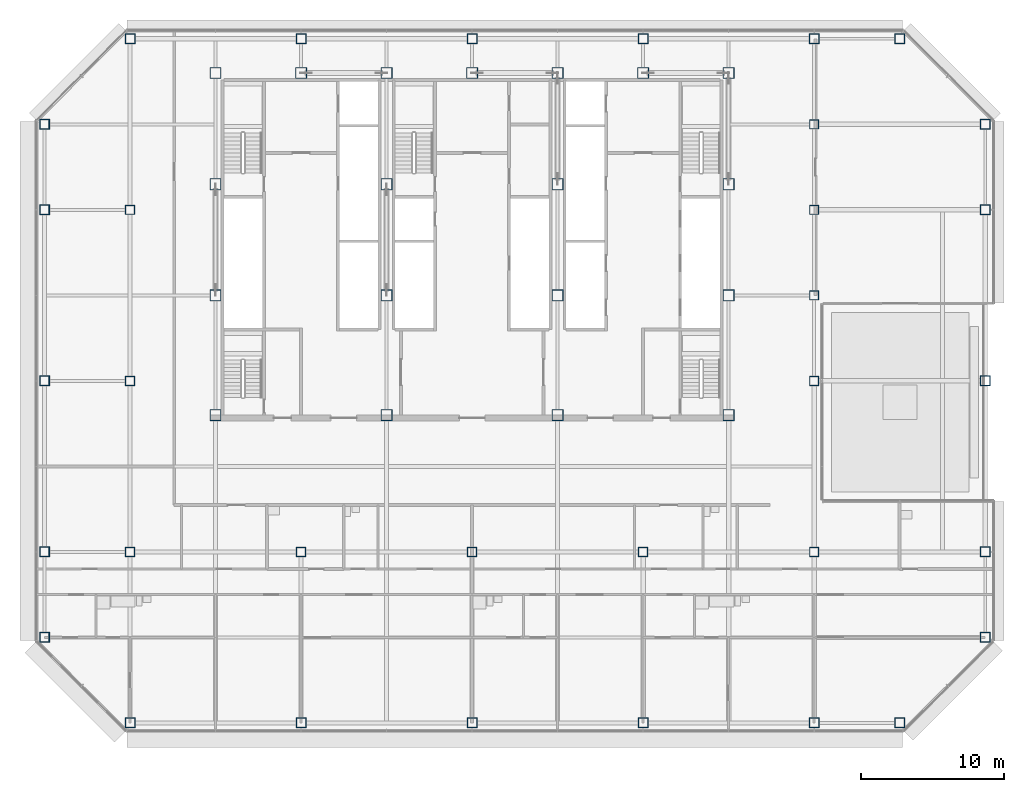
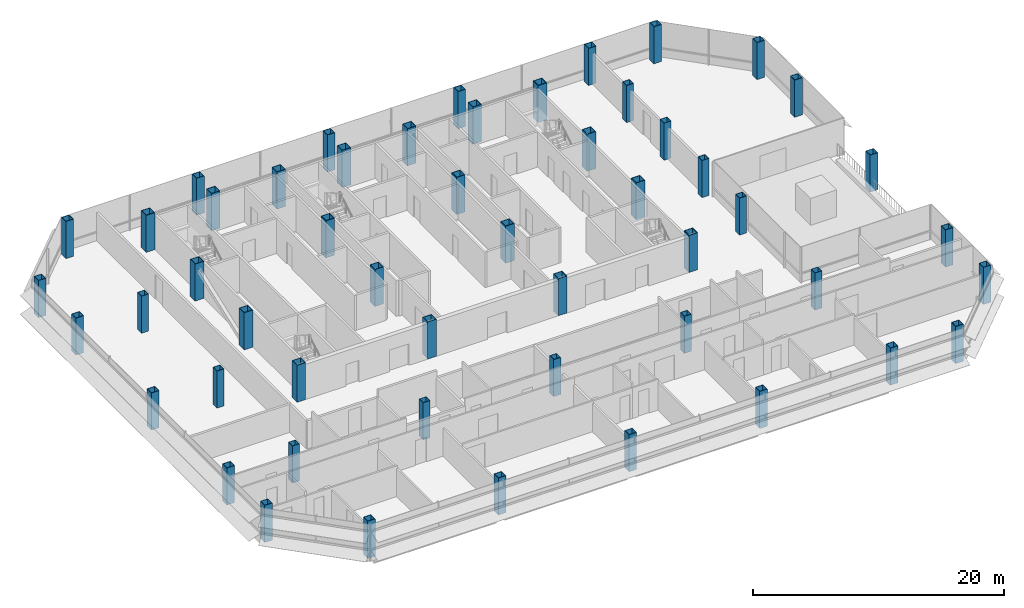
# One storey, part 1 of 27: 52 columns.
"""IFC4 building model written with IfcOpenShell, lengths in metres."""

from ifc_helpers import new_model, si_unit, direction, frame, origin, origin_2d, place, context, subcontext, project, spatial, hollow_rectangle, extrude, material, material_profile, profile_set, type_object, element, save


model = new_model("IFC4")

# Units and contexts
model_context = context("Model", 3, precision=1e-05, world=origin(), true_north=direction((0.0, 1.0)))
body_context = subcontext(model_context, "Body", "Model", "MODEL_VIEW")
ifc_project = project(units=[si_unit("LENGTHUNIT", "METRE"), si_unit("AREAUNIT", "SQUARE_METRE"), si_unit("VOLUMEUNIT", "CUBIC_METRE"), si_unit("PLANEANGLEUNIT", "RADIAN"), si_unit("MASSUNIT", "GRAM", prefix="KILO")], contexts=[model_context])

# Site, building, storey
site_placement = place(None, origin())
site = spatial("IfcSite", under=ifc_project, at=site_placement, CompositionType="ELEMENT")
building_placement = place(site_placement, origin())
building = spatial("IfcBuilding", under=site, at=building_placement, Name="Sorahane Residences", CompositionType="ELEMENT")
storey_placement = place(building_placement, frame((0.0, 0.0, 167.199951171875)))
storey = spatial("IfcBuildingStorey", under=building, at=storey_placement, Name="L38", CompositionType="ELEMENT", Elevation=167.199951171875)

# Columns
ifc_material_1 = material(Name="Steel Q355B", Category="steel")
ifc_material_profile_1 = material_profile(ifc_material_1, hollow_rectangle(XDim=0.64990234375, YDim=0.64990234375, WallThickness=0.031982421875, at=origin_2d()), Name="BOX 650x650x32")
ifc_profile_set_1 = profile_set([ifc_material_profile_1], Name="Steel Q355B")
column_type_1 = type_object("IfcColumnType", Name="Steel box column BOX 650x650x32 Q355B", PredefinedType="COLUMN", material=ifc_profile_set_1)
for number, where, z_axis, x_axis, name in (
    (1, (0.0, 12.0, 0.0), (0.0, 0.0, 1.0), (1.0, 0.0, 0.0), "Column L38 0/12"),
    (2, (0.0, 24.0, 0.0), (0.0, 0.0, 1.0), (1.0, 0.0, 0.0), "Column L38 0/24"),
    (3, (0.0, 36.0, 0.0), (0.0, 0.0, 1.0), (1.0, 0.0, 0.0), "Column L38 0/36"),
    (4, (12.0, 12.0, 0.0), (0.0, 0.0, 1.0), (1.0, 0.0, 0.0), "Column L38 12/12"),
    (5, (24.0, 12.0, 0.0), (0.0, 0.0, 1.0), (1.0, 0.0, 0.0), "Column L38 24/12"),
    (6, (36.0, 12.0, 0.0), (0.0, 0.0, 1.0), (1.0, 0.0, 0.0), "Column L38 36/12"),
    (7, (48.0, 12.0, 0.0), (0.0, 0.0, 1.0), (1.0, 0.0, 0.0), "Column L38 48/12"),
    (8, (48.0, 24.0, 0.0), (0.0, 0.0, 1.0), (1.0, 0.0, 0.0), "Column L38 48/24"),
    (9, (48.0, 30.0, 0.0), (0.0, 0.0, 1.0), (1.0, 0.0, 0.0), "Column L38 48/30"),
    (10, (48.0, 36.0, 0.0), (0.0, 0.0, 1.0), (1.0, 0.0, 0.0), "Column L38 48/36"),
    (11, (48.0, 42.0, 0.0), (0.0, 0.0, 1.0), (1.0, 0.0, 0.0), "Column L38 48/42"),
):
    element("IfcColumn", number, at=place(storey_placement, frame(where, z_axis=z_axis, x_axis=x_axis)), inside=storey, type_object=column_type_1, Name=name, PredefinedType="COLUMN", context=body_context, shape_type="SweptSolid", body=[
        extrude(hollow_rectangle(XDim=0.64990234375, YDim=0.64990234375, WallThickness=0.031982421875, at=origin_2d()), origin(), (0.0, 0.0, 1.0), 3.60009765625),
    ])
ifc_material_2 = material(Name="Steel Q355B", Category="steel")
ifc_material_profile_2 = material_profile(ifc_material_2, hollow_rectangle(XDim=0.699951171875, YDim=0.699951171875, WallThickness=0.035888671875, at=origin_2d()), Name="BOX 700x700x36")
ifc_profile_set_2 = profile_set([ifc_material_profile_2], Name="Steel Q355B")
column_type_2 = type_object("IfcColumnType", Name="Steel box column BOX 700x700x36 Q355B", PredefinedType="COLUMN", material=ifc_profile_set_2)
for number, where, z_axis, x_axis, name in (
    (12, (-6.0, 6.0, 0.0), (0.0, 0.0, 1.0), (1.0, 0.0, 0.0), "Column L38 m6/6"),
    (13, (-6.0, 12.0, 0.0), (0.0, 0.0, 1.0), (1.0, 0.0, 0.0), "Column L38 m6/12"),
    (14, (-6.0, 24.0, 0.0), (0.0, 0.0, 1.0), (1.0, 0.0, 0.0), "Column L38 m6/24"),
    (15, (-6.0, 36.0, 0.0), (0.0, 0.0, 1.0), (1.0, 0.0, 0.0), "Column L38 m6/36"),
    (16, (-6.0, 42.0, 0.0), (0.0, 0.0, 1.0), (1.0, 0.0, 0.0), "Column L38 m6/42"),
    (17, (0.0, 0.0, 0.0), (0.0, 0.0, 1.0), (1.0, 0.0, 0.0), "Column L38 0/0"),
    (18, (0.0, 48.0, 0.0), (0.0, 0.0, 1.0), (1.0, 0.0, 0.0), "Column L38 0/48"),
    (19, (12.0, 0.0, 0.0), (0.0, 0.0, 1.0), (1.0, 0.0, 0.0), "Column L38 12/0"),
    (20, (12.0, 48.0, 0.0), (0.0, 0.0, 1.0), (1.0, 0.0, 0.0), "Column L38 12/48"),
    (21, (24.0, 0.0, 0.0), (0.0, 0.0, 1.0), (1.0, 0.0, 0.0), "Column L38 24/0"),
    (22, (24.0, 48.0, 0.0), (0.0, 0.0, 1.0), (1.0, 0.0, 0.0), "Column L38 24/48"),
    (23, (36.0, 0.0, 0.0), (0.0, 0.0, 1.0), (1.0, 0.0, 0.0), "Column L38 36/0"),
    (24, (36.0, 48.0, 0.0), (0.0, 0.0, 1.0), (1.0, 0.0, 0.0), "Column L38 36/48"),
    (25, (48.0, 0.0, 0.0), (0.0, 0.0, 1.0), (1.0, 0.0, 0.0), "Column L38 48/0"),
    (26, (48.0, 48.0, 0.0), (0.0, 0.0, 1.0), (1.0, 0.0, 0.0), "Column L38 48/48"),
    (27, (54.0, 0.0, 0.0), (0.0, 0.0, 1.0), (1.0, 0.0, 0.0), "Column L38 54/0"),
    (28, (54.0, 48.0, 0.0), (0.0, 0.0, 1.0), (1.0, 0.0, 0.0), "Column L38 54/48"),
    (29, (60.0, 6.0, 0.0), (0.0, 0.0, 1.0), (1.0, 0.0, 0.0), "Column L38 60/6"),
    (30, (60.0, 12.0, 0.0), (0.0, 0.0, 1.0), (1.0, 0.0, 0.0), "Column L38 60/12"),
    (31, (60.0, 24.0, 0.0), (0.0, 0.0, 1.0), (1.0, 0.0, 0.0), "Column L38 60/24"),
    (32, (60.0, 36.0, 0.0), (0.0, 0.0, 1.0), (1.0, 0.0, 0.0), "Column L38 60/36"),
    (33, (60.0, 42.0, 0.0), (0.0, 0.0, 1.0), (1.0, 0.0, 0.0), "Column L38 60/42"),
):
    element("IfcColumn", number, at=place(storey_placement, frame(where, z_axis=z_axis, x_axis=x_axis)), inside=storey, type_object=column_type_2, Name=name, PredefinedType="COLUMN", context=body_context, shape_type="SweptSolid", body=[
        extrude(hollow_rectangle(XDim=0.699951171875, YDim=0.699951171875, WallThickness=0.035888671875, at=origin_2d()), origin(), (0.0, 0.0, 1.0), 3.60009765625),
    ])
ifc_material_3 = material(Name="Steel Q420GJ", Category="steel")
ifc_material_profile_3 = material_profile(ifc_material_3, hollow_rectangle(XDim=0.800048828125, YDim=0.800048828125, WallThickness=0.044921875, at=origin_2d()), Name="BOX 800x800x45")
ifc_profile_set_3 = profile_set([ifc_material_profile_3], Name="Steel Q420GJ")
column_type_3 = type_object("IfcColumnType", Name="Steel box column BOX 800x800x45 Q420GJ", PredefinedType="COLUMN", material=ifc_profile_set_3)
for number, where, z_axis, x_axis, name in (
    (34, (6.0, 21.60009765625, 0.0), (0.0, 0.0, 1.0), (1.0, 0.0, 0.0), "Column L38 6/21.6"),
    (35, (6.0, 30.0, 0.0), (0.0, 0.0, 1.0), (1.0, 0.0, 0.0), "Column L38 6/30"),
    (36, (6.0, 37.800048828125, 0.0), (0.0, 0.0, 1.0), (1.0, 0.0, 0.0), "Column L38 6/37.8"),
    (37, (6.0, 45.60009765625, 0.0), (0.0, 0.0, 1.0), (1.0, 0.0, 0.0), "Column L38 6/45.6"),
    (38, (12.0, 45.60009765625, 0.0), (0.0, 0.0, 1.0), (1.0, 0.0, 0.0), "Column L38 12/45.6"),
    (39, (18.0, 21.60009765625, 0.0), (0.0, 0.0, 1.0), (1.0, 0.0, 0.0), "Column L38 18/21.6"),
    (40, (18.0, 30.0, 0.0), (0.0, 0.0, 1.0), (1.0, 0.0, 0.0), "Column L38 18/30"),
    (41, (18.0, 37.800048828125, 0.0), (0.0, 0.0, 1.0), (1.0, 0.0, 0.0), "Column L38 18/37.8"),
    (42, (18.0, 45.60009765625, 0.0), (0.0, 0.0, 1.0), (1.0, 0.0, 0.0), "Column L38 18/45.6"),
    (43, (24.0, 45.60009765625, 0.0), (0.0, 0.0, 1.0), (1.0, 0.0, 0.0), "Column L38 24/45.6"),
    (44, (30.0, 21.60009765625, 0.0), (0.0, 0.0, 1.0), (1.0, 0.0, 0.0), "Column L38 30/21.6"),
    (45, (30.0, 30.0, 0.0), (0.0, 0.0, 1.0), (1.0, 0.0, 0.0), "Column L38 30/30"),
    (46, (30.0, 37.800048828125, 0.0), (0.0, 0.0, 1.0), (1.0, 0.0, 0.0), "Column L38 30/37.8"),
    (47, (30.0, 45.60009765625, 0.0), (0.0, 0.0, 1.0), (1.0, 0.0, 0.0), "Column L38 30/45.6"),
    (48, (36.0, 45.60009765625, 0.0), (0.0, 0.0, 1.0), (1.0, 0.0, 0.0), "Column L38 36/45.6"),
    (49, (42.0, 21.60009765625, 0.0), (0.0, 0.0, 1.0), (1.0, 0.0, 0.0), "Column L38 42/21.6"),
    (50, (42.0, 30.0, 0.0), (0.0, 0.0, 1.0), (1.0, 0.0, 0.0), "Column L38 42/30"),
    (51, (42.0, 37.800048828125, 0.0), (0.0, 0.0, 1.0), (1.0, 0.0, 0.0), "Column L38 42/37.8"),
    (52, (42.0, 45.60009765625, 0.0), (0.0, 0.0, 1.0), (1.0, 0.0, 0.0), "Column L38 42/45.6"),
):
    element("IfcColumn", number, at=place(storey_placement, frame(where, z_axis=z_axis, x_axis=x_axis)), inside=storey, type_object=column_type_3, Name=name, PredefinedType="COLUMN", context=body_context, shape_type="SweptSolid", body=[
        extrude(hollow_rectangle(XDim=0.800048828125, YDim=0.800048828125, WallThickness=0.044921875, at=origin_2d()), origin(), (0.0, 0.0, 1.0), 3.60009765625),
    ])

save(model, "model.ifc")
